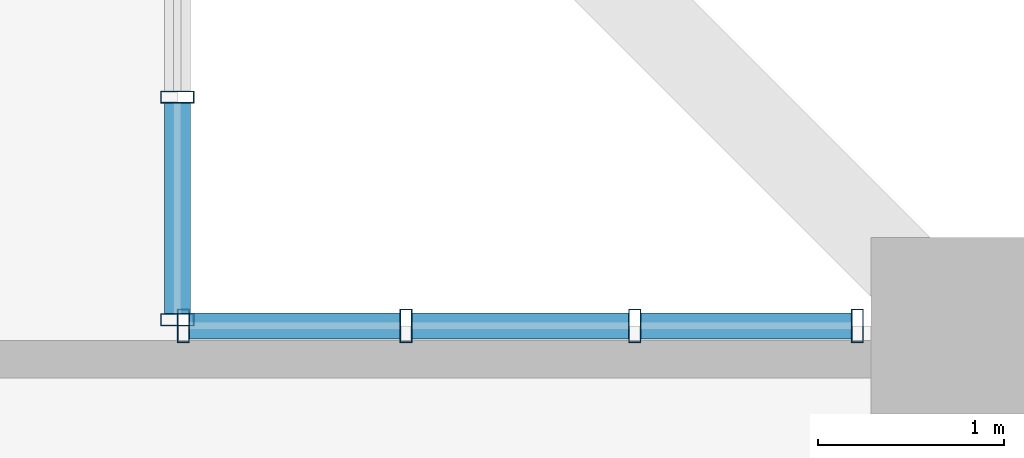
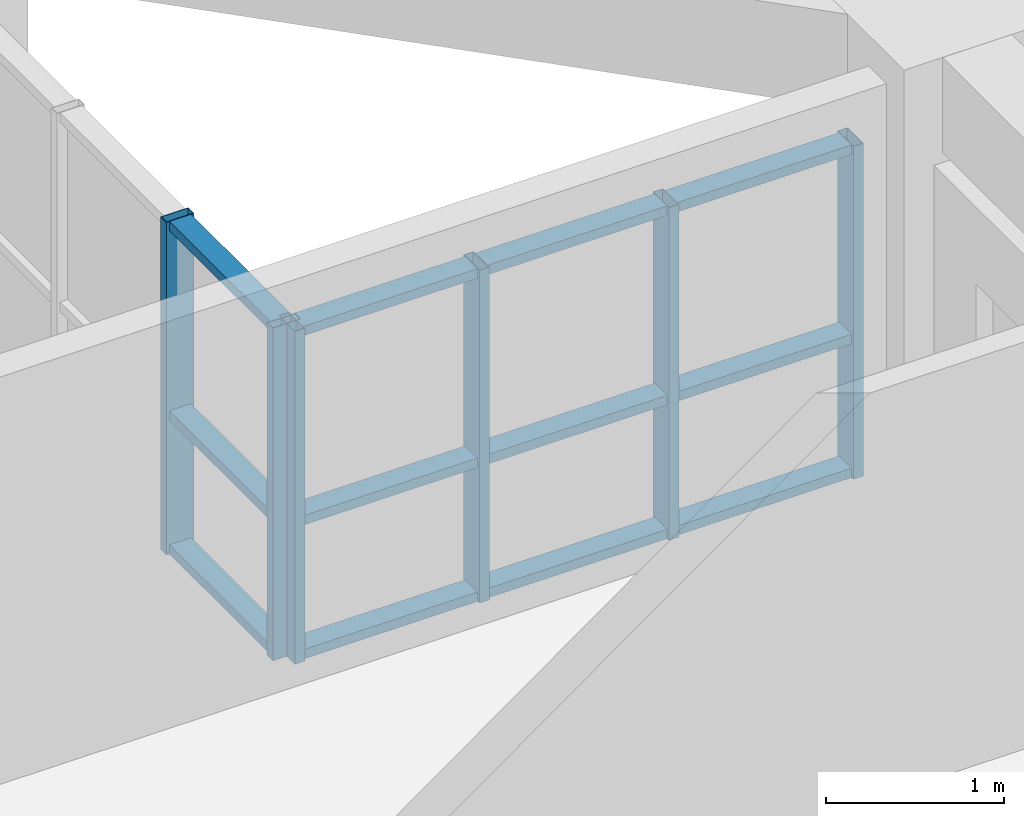
# One storey, part 10 of 25: 18 members, 2 elements without a shape of their own.
"""IFC4 building model written with IfcOpenShell, lengths in metres."""

from ifc_helpers import new_model, si_unit, direction, frame, origin, origin_2d, place, context, subcontext, project, spatial, hollow_rectangle, extrude, source, transform, mapped, material, layer, layer_set, material_profile, profile_set, type_object, element, aggregate, save


model = new_model("IFC4")

# Units and contexts
model_context = context("Model", 3, precision=1e-05, world=origin(), true_north=direction((0.0, 1.0)))
body_context = subcontext(model_context, "Body", "Model", "MODEL_VIEW")
ifc_project = project(units=[si_unit("LENGTHUNIT", "METRE"), si_unit("AREAUNIT", "SQUARE_METRE"), si_unit("VOLUMEUNIT", "CUBIC_METRE"), si_unit("PLANEANGLEUNIT", "RADIAN"), si_unit("MASSUNIT", "GRAM", prefix="KILO")], contexts=[model_context])

# Site, building, storey
site_placement = place(None, origin())
site = spatial("IfcSite", under=ifc_project, at=site_placement, CompositionType="ELEMENT")
building_placement = place(site_placement, origin())
building = spatial("IfcBuilding", under=site, at=building_placement, Name="Saelheon Loggia Tower", CompositionType="ELEMENT")
storey_placement = place(building_placement, frame((0.0, 0.0, 107.85009765625)))
storey = spatial("IfcBuildingStorey", under=building, at=storey_placement, Name="L34", CompositionType="ELEMENT", Elevation=107.85009765625)

# Curtain wall, members
ifc_material_1 = material(Name="Thermal-Break Aluminium and Triple Low-E Glass", Category="aluminium")
ifc_layer = layer(ifc_material_1, 0.159912109375)
ifc_layer_set = layer_set([ifc_layer], Name="Thermal-Break Aluminium and Triple Low-E Glass")
curtain_wall_type = type_object("IfcCurtainWallType", Name="CW_TowerLoggiaLow", PredefinedType="NOTDEFINED", material=ifc_layer_set)
curtain_wall_1_placement = place(storey_placement, origin())
curtain_wall_1 = element("IfcCurtainWall", 1, at=curtain_wall_1_placement, inside=storey, type_object=curtain_wall_type, Name="L34 Corner Notch Glazing NE1", PredefinedType="NOTDEFINED")
ifc_material_2 = material(Name="Anodised Aluminium 6063-T6", Category="aluminium")
ifc_material_profile_1 = material_profile(ifc_material_2, hollow_rectangle(XDim=0.06494140625, YDim=0.179931640625, WallThickness=0.00390625, at=origin_2d()), Name="RHS-180x65x4")
ifc_profile_set_1 = profile_set([ifc_material_profile_1], Name="Anodised Aluminium 6063-T6")
member_type_1 = type_object("IfcMemberType", Name="CW_TowerLoggiaLow_Mullion", PredefinedType="MULLION", material=ifc_profile_set_1)
shared_shape_1 = source(origin(), body_context, "Body", "SweptSolid", [
    extrude(hollow_rectangle(XDim=0.06494140625, YDim=0.179931640625, WallThickness=0.00390625, at=origin_2d()), origin(), (0.0, 0.0, 1.0), 2.27978515625),
])
member_1_placement = place(storey_placement, frame((59.800048828125, 46.83251953125, 0.0), z_axis=(0.0, 0.0, 1.0), x_axis=(0.0, 1.0, 0.0)))
member_1 = element("IfcMember", 2, at=member_1_placement, type_object=member_type_1, Name="CW3 mullion 1", PredefinedType="MULLION", context=body_context, shape_type="MappedRepresentation", body=[
    mapped(shared_shape_1, transform((0.0, 0.0, 0.0), scale=1.0)),
])
member_2_placement = place(storey_placement, frame((59.800048828125, 48.0283203125, 0.0), z_axis=(0.0, 0.0, 1.0), x_axis=(0.0, 1.0, 0.0)))
member_2 = element("IfcMember", 3, at=member_2_placement, type_object=member_type_1, Name="CW3 mullion 2", PredefinedType="MULLION", context=body_context, shape_type="MappedRepresentation", body=[
    mapped(shared_shape_1, transform((0.0, 0.0, 0.0), scale=1.0)),
])

curtain_wall_2_placement = place(storey_placement, origin())
curtain_wall_2 = element("IfcCurtainWall", 4, at=curtain_wall_2_placement, inside=storey, type_object=curtain_wall_type, Name="L34 Corner Notch Glazing NE2", PredefinedType="NOTDEFINED")
member_3_placement = place(storey_placement, frame((59.83251953125, 46.800048828125, 0.0), z_axis=(0.0, 0.0, 1.0), x_axis=(1.0, 0.0, 0.0)))
member_3 = element("IfcMember", 5, at=member_3_placement, type_object=member_type_1, Name="CW3 mullion 1", PredefinedType="MULLION", context=body_context, shape_type="MappedRepresentation", body=[
    mapped(shared_shape_1, transform((0.0, 0.0, 0.0), scale=1.0)),
])
member_4_placement = place(storey_placement, frame((61.0283203125, 46.800048828125, 0.0), z_axis=(0.0, 0.0, 1.0), x_axis=(1.0, 0.0, 0.0)))
member_4 = element("IfcMember", 6, at=member_4_placement, type_object=member_type_1, Name="CW3 mullion 2", PredefinedType="MULLION", context=body_context, shape_type="MappedRepresentation", body=[
    mapped(shared_shape_1, transform((0.0, 0.0, 0.0), scale=1.0)),
])
member_5_placement = place(storey_placement, frame((62.256591796875, 46.800048828125, 0.0), z_axis=(0.0, 0.0, 1.0), x_axis=(1.0, 0.0, 0.0)))
member_5 = element("IfcMember", 7, at=member_5_placement, type_object=member_type_1, Name="CW3 mullion 3", PredefinedType="MULLION", context=body_context, shape_type="MappedRepresentation", body=[
    mapped(shared_shape_1, transform((0.0, 0.0, 0.0), scale=1.0)),
])
member_6_placement = place(storey_placement, frame((63.452392578125, 46.800048828125, 0.0), z_axis=(0.0, 0.0, 1.0), x_axis=(1.0, 0.0, 0.0)))
member_6 = element("IfcMember", 8, at=member_6_placement, type_object=member_type_1, Name="CW3 mullion 4", PredefinedType="MULLION", context=body_context, shape_type="MappedRepresentation", body=[
    mapped(shared_shape_1, transform((0.0, 0.0, 0.0), scale=1.0)),
])

# Member
ifc_material_profile_2 = material_profile(ifc_material_2, hollow_rectangle(XDim=0.06494140625, YDim=0.139892578125, WallThickness=0.00390625, at=origin_2d()), Name="RHS-140x65x4")
ifc_profile_set_2 = profile_set([ifc_material_profile_2], Name="Anodised Aluminium 6063-T6")
member_type_2 = type_object("IfcMemberType", Name="CW_TowerLoggiaLow_Transom", PredefinedType="USERDEFINED", material=ifc_profile_set_2)
shared_shape_2 = source(origin(), body_context, "Body", "SweptSolid", [
    extrude(hollow_rectangle(XDim=0.06494140625, YDim=0.139892578125, WallThickness=0.00390625, at=origin_2d()), origin(), (0.0, 0.0, 1.0), 1.130859375),
])
member_7_placement = place(storey_placement, frame((59.800048828125, 46.864990234375, 0.032470703125), z_axis=(0.0, 1.0, 0.0), x_axis=(0.0, 0.0, 1.0)))
member_7 = element("IfcMember", 9, at=member_7_placement, type_object=member_type_2, Name="CW3 transom 1.1", ObjectType="TRANSOM", PredefinedType="USERDEFINED", context=body_context, shape_type="MappedRepresentation", body=[
    mapped(shared_shape_2, transform((0.0, 0.0, 0.0), scale=1.0)),
])

member_8_placement = place(storey_placement, frame((59.800048828125, 46.864990234375, 0.949951171875), z_axis=(0.0, 1.0, 0.0), x_axis=(0.0, 0.0, 1.0)))
member_8 = element("IfcMember", 10, at=member_8_placement, type_object=member_type_2, Name="CW3 transom 1.2", ObjectType="TRANSOM", PredefinedType="USERDEFINED", context=body_context, shape_type="MappedRepresentation", body=[
    mapped(shared_shape_2, transform((0.0, 0.0, 0.0), scale=1.0)),
])

member_9_placement = place(storey_placement, frame((59.800048828125, 46.864990234375, 2.247314453125), z_axis=(0.0, 1.0, 0.0), x_axis=(0.0, 0.0, 1.0)))
member_9 = element("IfcMember", 11, at=member_9_placement, type_object=member_type_2, Name="CW3 transom 1.3", ObjectType="TRANSOM", PredefinedType="USERDEFINED", context=body_context, shape_type="MappedRepresentation", body=[
    mapped(shared_shape_2, transform((0.0, 0.0, 0.0), scale=1.0)),
])

aggregate(curtain_wall_1, [member_1, member_2, member_7, member_8, member_9])

member_10_placement = place(storey_placement, frame((59.864990234375, 46.800048828125, 0.032470703125), z_axis=(1.0, 0.0, 0.0), x_axis=(0.0, 0.0, 1.0)))
member_10 = element("IfcMember", 12, at=member_10_placement, type_object=member_type_2, Name="CW3 transom 1.1", ObjectType="TRANSOM", PredefinedType="USERDEFINED", context=body_context, shape_type="MappedRepresentation", body=[
    mapped(shared_shape_2, transform((0.0, 0.0, 0.0), scale=1.0)),
])

member_11_placement = place(storey_placement, frame((59.864990234375, 46.800048828125, 0.949951171875), z_axis=(1.0, 0.0, 0.0), x_axis=(0.0, 0.0, 1.0)))
member_11 = element("IfcMember", 13, at=member_11_placement, type_object=member_type_2, Name="CW3 transom 1.2", ObjectType="TRANSOM", PredefinedType="USERDEFINED", context=body_context, shape_type="MappedRepresentation", body=[
    mapped(shared_shape_2, transform((0.0, 0.0, 0.0), scale=1.0)),
])

member_12_placement = place(storey_placement, frame((59.864990234375, 46.800048828125, 2.247314453125), z_axis=(1.0, 0.0, 0.0), x_axis=(0.0, 0.0, 1.0)))
member_12 = element("IfcMember", 14, at=member_12_placement, type_object=member_type_2, Name="CW3 transom 1.3", ObjectType="TRANSOM", PredefinedType="USERDEFINED", context=body_context, shape_type="MappedRepresentation", body=[
    mapped(shared_shape_2, transform((0.0, 0.0, 0.0), scale=1.0)),
])

member_13_placement = place(storey_placement, frame((62.2890625, 46.800048828125, 0.032470703125), z_axis=(1.0, 0.0, 0.0), x_axis=(0.0, 0.0, 1.0)))
member_13 = element("IfcMember", 15, at=member_13_placement, type_object=member_type_2, Name="CW3 transom 3.1", ObjectType="TRANSOM", PredefinedType="USERDEFINED", context=body_context, shape_type="MappedRepresentation", body=[
    mapped(shared_shape_2, transform((0.0, 0.0, 0.0), scale=1.0)),
])

member_14_placement = place(storey_placement, frame((62.2890625, 46.800048828125, 0.949951171875), z_axis=(1.0, 0.0, 0.0), x_axis=(0.0, 0.0, 1.0)))
member_14 = element("IfcMember", 16, at=member_14_placement, type_object=member_type_2, Name="CW3 transom 3.2", ObjectType="TRANSOM", PredefinedType="USERDEFINED", context=body_context, shape_type="MappedRepresentation", body=[
    mapped(shared_shape_2, transform((0.0, 0.0, 0.0), scale=1.0)),
])

member_15_placement = place(storey_placement, frame((62.2890625, 46.800048828125, 2.247314453125), z_axis=(1.0, 0.0, 0.0), x_axis=(0.0, 0.0, 1.0)))
member_15 = element("IfcMember", 17, at=member_15_placement, type_object=member_type_2, Name="CW3 transom 3.3", ObjectType="TRANSOM", PredefinedType="USERDEFINED", context=body_context, shape_type="MappedRepresentation", body=[
    mapped(shared_shape_2, transform((0.0, 0.0, 0.0), scale=1.0)),
])

shared_shape_3 = source(origin(), body_context, "Body", "SweptSolid", [
    extrude(hollow_rectangle(XDim=0.06494140625, YDim=0.139892578125, WallThickness=0.00390625, at=origin_2d()), origin(), (0.0, 0.0, 1.0), 1.163330078125),
])
member_16_placement = place(storey_placement, frame((61.060791015625, 46.800048828125, 0.032470703125), z_axis=(1.0, 0.0, 0.0), x_axis=(0.0, 0.0, 1.0)))
member_16 = element("IfcMember", 18, at=member_16_placement, type_object=member_type_2, Name="CW3 transom 2.1", ObjectType="TRANSOM", PredefinedType="USERDEFINED", context=body_context, shape_type="MappedRepresentation", body=[
    mapped(shared_shape_3, transform((0.0, 0.0, 0.0), scale=1.0)),
])

member_17_placement = place(storey_placement, frame((61.060791015625, 46.800048828125, 0.949951171875), z_axis=(1.0, 0.0, 0.0), x_axis=(0.0, 0.0, 1.0)))
member_17 = element("IfcMember", 19, at=member_17_placement, type_object=member_type_2, Name="CW3 transom 2.2", ObjectType="TRANSOM", PredefinedType="USERDEFINED", context=body_context, shape_type="MappedRepresentation", body=[
    mapped(shared_shape_3, transform((0.0, 0.0, 0.0), scale=1.0)),
])

member_18_placement = place(storey_placement, frame((61.060791015625, 46.800048828125, 2.247314453125), z_axis=(1.0, 0.0, 0.0), x_axis=(0.0, 0.0, 1.0)))
member_18 = element("IfcMember", 20, at=member_18_placement, type_object=member_type_2, Name="CW3 transom 2.3", ObjectType="TRANSOM", PredefinedType="USERDEFINED", context=body_context, shape_type="MappedRepresentation", body=[
    mapped(shared_shape_3, transform((0.0, 0.0, 0.0), scale=1.0)),
])

aggregate(curtain_wall_2, [member_3, member_4, member_5, member_6, member_10, member_11, member_12, member_16, member_17, member_18, member_13, member_14, member_15])

save(model, "model.ifc")
